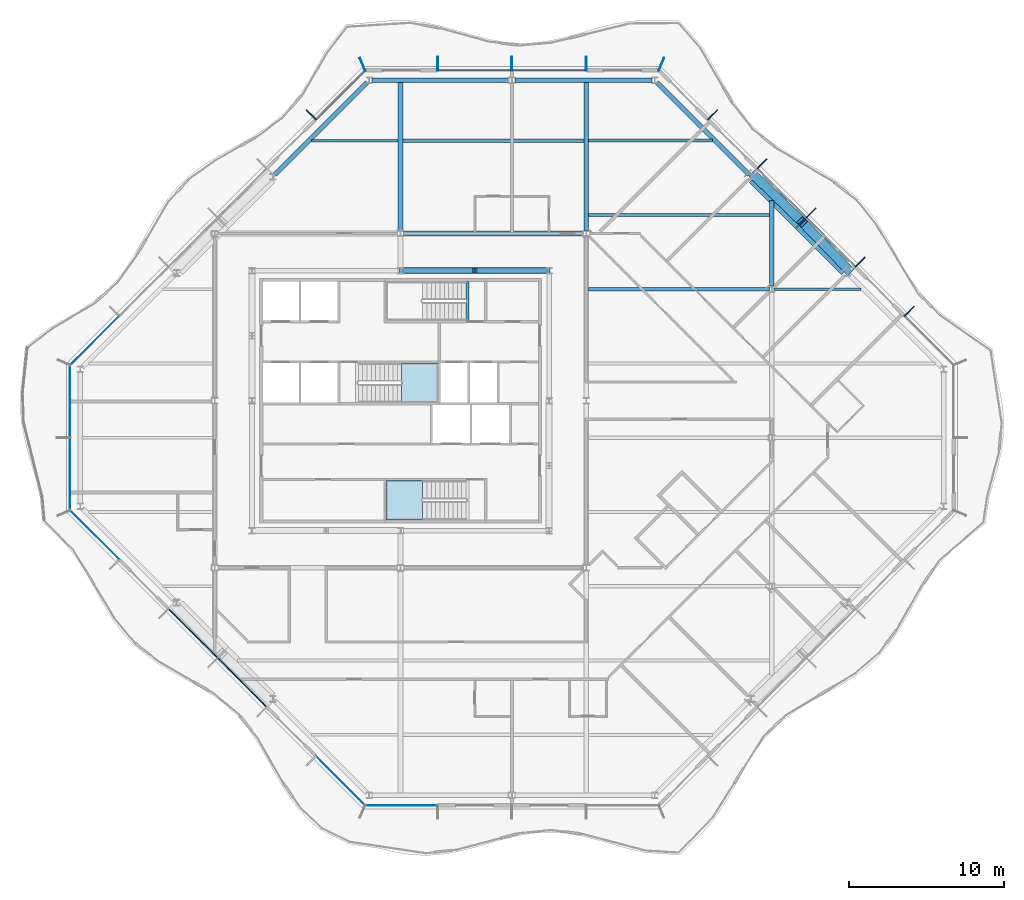
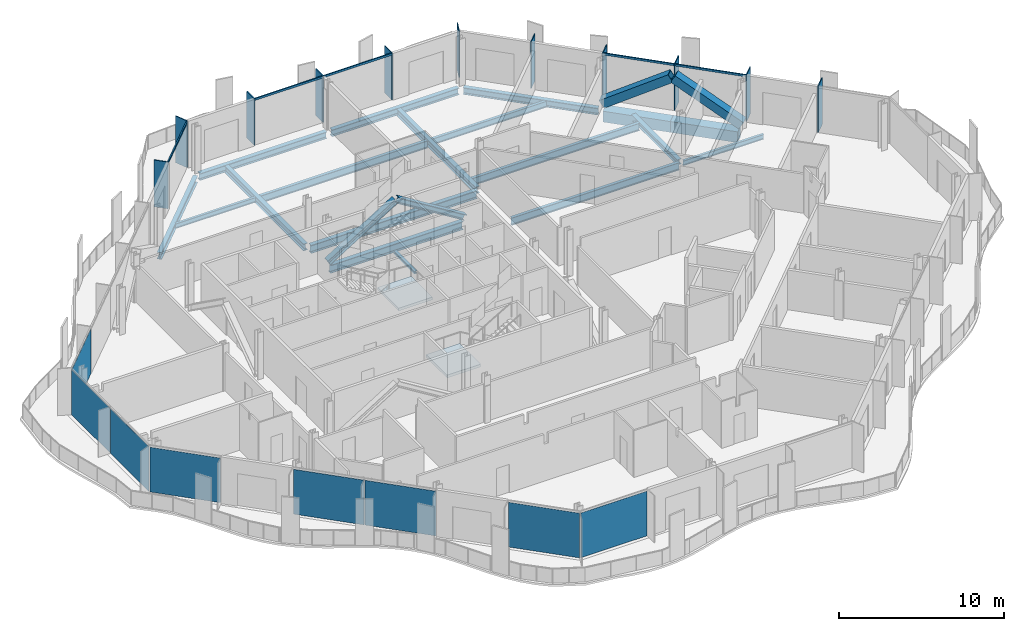
# One storey, part 5 of 17: 20 members, 18 beams, 8 plates, 2 slabs, 8 elements without a shape of their own.
"""IFC4 building model written with IfcOpenShell, lengths in metres."""

from ifc_helpers import new_model, si_unit, direction, frame, origin, origin_2d, place, context, subcontext, project, spatial, polyline, rectangle, hollow_rectangle, i_section, outline, extrude, material, layer, layer_set, material_profile, profile_set, type_object, element, aggregate, save


model = new_model("IFC4")

# Units and contexts
model_context = context("Model", 3, precision=1e-05, world=origin(), true_north=direction((0.0, 1.0)))
body_context = subcontext(model_context, "Body", "Model", "MODEL_VIEW")
ifc_project = project(units=[si_unit("LENGTHUNIT", "METRE"), si_unit("AREAUNIT", "SQUARE_METRE"), si_unit("VOLUMEUNIT", "CUBIC_METRE"), si_unit("PLANEANGLEUNIT", "RADIAN"), si_unit("MASSUNIT", "GRAM", prefix="KILO")], contexts=[model_context])

# Site, building, storey
site_placement = place(None, origin())
site = spatial("IfcSite", under=ifc_project, at=site_placement, CompositionType="ELEMENT")
building_placement = place(site_placement, origin())
building = spatial("IfcBuilding", under=site, at=building_placement, Name="Cairn Pilgrim Tower", CompositionType="ELEMENT")
storey_placement = place(building_placement, frame((0.0, 0.0, 250.199951171875)))
storey = spatial("IfcBuildingStorey", under=building, at=storey_placement, Name="L64", CompositionType="ELEMENT", Elevation=250.199951171875)

# Members
ifc_material_1 = material(Name="Structural steel S460M", Category="steel")
ifc_material_profile_1 = material_profile(ifc_material_1, hollow_rectangle(XDim=0.60009765625, YDim=0.60009765625, WallThickness=0.034912109375, at=origin_2d()), Name="BOX 600x600x35")
ifc_profile_set_1 = profile_set([ifc_material_profile_1], Name="Structural steel S460M")
member_type_1 = type_object("IfcMemberType", Name="BOX 600x600x35 BRACE", PredefinedType="BRACE", material=ifc_profile_set_1)
for number, where, z_axis, x_axis, name in (
    (1, (36.194580078125, 10.813232421875, 0.150146484375), (-0.59315674176, 0.611821665796, 0.523296597512), (-0.717973624454, -0.696070308653, 0.0), "XB-NE2-NE3-1"),
    (2, (30.01318359375, 16.99462890625, 0.150146484375), (0.611821665796, -0.59315674176, 0.523296597512), (0.696070308653, 0.717973624454, 0.0), "XB-NE2-NE3-2"),
):
    element("IfcMember", number, at=place(storey_placement, frame(where, z_axis=z_axis, x_axis=x_axis)), inside=storey, type_object=member_type_1, Name=name, PredefinedType="BRACE", context=body_context, shape_type="SweptSolid", body=[
        extrude(hollow_rectangle(XDim=0.60009765625, YDim=0.60009765625, WallThickness=0.034912109375, at=origin_2d()), origin(), (0.0, 0.0, 1.0), 5.035888671875),
    ])

# Beams
ifc_material_2 = material(Name="Structural steel S355J2", Category="steel")
ifc_material_profile_2 = material_profile(ifc_material_2, hollow_rectangle(XDim=0.699951171875, YDim=0.800048828125, WallThickness=0.0400390625, at=origin_2d()), Name="BOX 700x800x40")
ifc_profile_set_2 = profile_set([ifc_material_profile_2], Name="Structural steel S355J2")
beam_type_1 = type_object("IfcBeamType", Name="BOX 700x800x40 RING GIRDER", PredefinedType="SPANDREL", material=ifc_profile_set_2)
for number, where, z_axis, x_axis, name in (
    (3, (35.947265625, 10.780029296875, -0.550048828125), (-0.707106781187, 0.707106781187, 0.0), (-0.707106781187, -0.707106781187, 0.0), "RG3-NE2-NE3-1"),
    (4, (32.963623046875, 13.763671875, -0.550048828125), (-0.707106781187, 0.707106781187, 0.0), (-0.707106781187, -0.707106781187, 0.0), "RG3-NE2-NE3-2"),
):
    element("IfcBeam", number, at=place(storey_placement, frame(where, z_axis=z_axis, x_axis=x_axis)), inside=storey, type_object=beam_type_1, Name=name, PredefinedType="SPANDREL", context=body_context, shape_type="SweptSolid", body=[
        extrude(hollow_rectangle(XDim=0.699951171875, YDim=0.800048828125, WallThickness=0.0400390625, at=origin_2d()), origin(), (0.0, 0.0, 1.0), 4.219482421875),
    ])

# Curtain wall, members
ifc_material_3 = material(Name="Aluminium alloy 6063-T6 bronze anodised with Bronze tinted laminated low-E glass 8+16+8.8", Category="aluminium")
curtain_wall_type_1 = type_object("IfcCurtainWallType", Name="CHAMFER CORNER CURTAIN WALL", PredefinedType="NOTDEFINED", material=ifc_material_3)
curtain_wall_1_placement = place(storey_placement, origin())
curtain_wall_1 = element("IfcCurtainWall", 5, at=curtain_wall_1_placement, inside=storey, type_object=curtain_wall_type_1, Name="Chamfer Corner Curtain Wall NE", PredefinedType="NOTDEFINED")
ifc_material_4 = material(Name="Aluminium alloy 6063-T6 bronze anodised", Category="aluminium")
ifc_material_profile_3 = material_profile(ifc_material_4, rectangle(XDim=0.89990234375, YDim=0.06005859375, at=origin_2d()), Name="FIN MULLION 60x900 BRONZE")
ifc_profile_set_3 = profile_set([ifc_material_profile_3], Name="Aluminium alloy 6063-T6 bronze anodised")
member_type_2 = type_object("IfcMemberType", Name="FIN MULLION 60x900 BRONZE", PredefinedType="MULLION", material=ifc_profile_set_3)
member_1_placement = place(storey_placement, frame((40.0712890625, 8.1689453125, 0.0), z_axis=(0.0, 0.0, 1.0), x_axis=(0.707106781187, 0.707106781187, 0.0)))
member_1 = element("IfcMember", 6, at=member_1_placement, type_object=member_type_2, Name="Fin mullion NE2", PredefinedType="MULLION", context=body_context, shape_type="SweptSolid", body=[
    extrude(rectangle(XDim=0.89990234375, YDim=0.06005859375, at=origin_2d()), origin(), (0.0, 0.0, 1.0), 3.449951171875),
])
member_2_placement = place(storey_placement, frame((36.895751953125, 11.3447265625, 0.0), z_axis=(0.0, 0.0, 1.0), x_axis=(0.707106781187, 0.707106781187, 0.0)))
member_2 = element("IfcMember", 7, at=member_2_placement, type_object=member_type_2, Name="Fin mullion NE3", PredefinedType="MULLION", context=body_context, shape_type="SweptSolid", body=[
    extrude(rectangle(XDim=0.89990234375, YDim=0.06005859375, at=origin_2d()), origin(), (0.0, 0.0, 1.0), 3.449951171875),
])
member_3_placement = place(storey_placement, frame((33.72021484375, 14.520263671875, 0.0), z_axis=(0.0, 0.0, 1.0), x_axis=(0.707106781187, 0.707106781187, 0.0)))
member_3 = element("IfcMember", 8, at=member_3_placement, type_object=member_type_2, Name="Fin mullion NE4", PredefinedType="MULLION", context=body_context, shape_type="SweptSolid", body=[
    extrude(rectangle(XDim=0.89990234375, YDim=0.06005859375, at=origin_2d()), origin(), (0.0, 0.0, 1.0), 3.449951171875),
])
member_4_placement = place(storey_placement, frame((30.544677734375, 17.69580078125, 0.0), z_axis=(0.0, 0.0, 1.0), x_axis=(0.707106781187, 0.707106781187, 0.0)))
member_4 = element("IfcMember", 9, at=member_4_placement, type_object=member_type_2, Name="Fin mullion NE5", PredefinedType="MULLION", context=body_context, shape_type="SweptSolid", body=[
    extrude(rectangle(XDim=0.89990234375, YDim=0.06005859375, at=origin_2d()), origin(), (0.0, 0.0, 1.0), 3.449951171875),
])
member_5_placement = place(storey_placement, frame((27.369140625, 20.871337890625, 0.0), z_axis=(0.0, 0.0, 1.0), x_axis=(0.707106781187, 0.707106781187, 0.0)))
member_5 = element("IfcMember", 10, at=member_5_placement, type_object=member_type_2, Name="Fin mullion NE6", PredefinedType="MULLION", context=body_context, shape_type="SweptSolid", body=[
    extrude(rectangle(XDim=0.89990234375, YDim=0.06005859375, at=origin_2d()), origin(), (0.0, 0.0, 1.0), 3.449951171875),
])

curtain_wall_type_2 = type_object("IfcCurtainWallType", Name="TOWER STICK CURTAIN WALL NS", PredefinedType="NOTDEFINED", material=ifc_material_3)
curtain_wall_2_placement = place(storey_placement, origin())
curtain_wall_2 = element("IfcCurtainWall", 11, at=curtain_wall_2_placement, inside=storey, type_object=curtain_wall_type_2, Name="Tower Stick Curtain Wall Ns N", PredefinedType="NOTDEFINED")
member_6_placement = place(storey_placement, frame((24.05712890625, 24.137939453125, 0.0), z_axis=(0.0, 0.0, 1.0), x_axis=(0.382683432365, 0.923879532511, 0.0)))
member_6 = element("IfcMember", 12, at=member_6_placement, type_object=member_type_2, Name="Fin mullion N1", PredefinedType="MULLION", context=body_context, shape_type="SweptSolid", body=[
    extrude(rectangle(XDim=0.89990234375, YDim=0.06005859375, at=origin_2d()), origin(), (0.0, 0.0, 1.0), 3.449951171875),
])
member_7_placement = place(storey_placement, frame((19.199951171875, 24.169921875, 0.0), z_axis=(0.0, 0.0, 1.0), x_axis=(0.0, 1.0, 0.0)))
member_7 = element("IfcMember", 13, at=member_7_placement, type_object=member_type_2, Name="Fin mullion N2", PredefinedType="MULLION", context=body_context, shape_type="SweptSolid", body=[
    extrude(rectangle(XDim=0.89990234375, YDim=0.06005859375, at=origin_2d()), origin(), (0.0, 0.0, 1.0), 3.449951171875),
])
member_8_placement = place(storey_placement, frame((14.39990234375, 24.169921875, 0.0), z_axis=(0.0, 0.0, 1.0), x_axis=(0.0, 1.0, 0.0)))
member_8 = element("IfcMember", 14, at=member_8_placement, type_object=member_type_2, Name="Fin mullion N3", PredefinedType="MULLION", context=body_context, shape_type="SweptSolid", body=[
    extrude(rectangle(XDim=0.89990234375, YDim=0.06005859375, at=origin_2d()), origin(), (0.0, 0.0, 1.0), 3.449951171875),
])
member_9_placement = place(storey_placement, frame((9.60009765625, 24.169921875, 0.0), z_axis=(0.0, 0.0, 1.0), x_axis=(0.0, 1.0, 0.0)))
member_9 = element("IfcMember", 15, at=member_9_placement, type_object=member_type_2, Name="Fin mullion N4", PredefinedType="MULLION", context=body_context, shape_type="SweptSolid", body=[
    extrude(rectangle(XDim=0.89990234375, YDim=0.06005859375, at=origin_2d()), origin(), (0.0, 0.0, 1.0), 3.449951171875),
])

curtain_wall_3_placement = place(storey_placement, origin())
curtain_wall_3 = element("IfcCurtainWall", 16, at=curtain_wall_3_placement, inside=storey, type_object=curtain_wall_type_1, Name="Chamfer Corner Curtain Wall NW", PredefinedType="NOTDEFINED")
member_10_placement = place(storey_placement, frame((4.742919921875, 24.137939453125, 0.0), z_axis=(0.0, 0.0, 1.0), x_axis=(-0.382683432365, 0.923879532511, 0.0)))
member_10 = element("IfcMember", 17, at=member_10_placement, type_object=member_type_2, Name="Fin mullion NW1", PredefinedType="MULLION", context=body_context, shape_type="SweptSolid", body=[
    extrude(rectangle(XDim=0.89990234375, YDim=0.06005859375, at=origin_2d()), origin(), (0.0, 0.0, 1.0), 3.449951171875),
])
member_11_placement = place(storey_placement, frame((1.430908203125, 20.871337890625, 0.0), z_axis=(0.0, 0.0, 1.0), x_axis=(-0.707106781187, 0.707106781187, 0.0)))
member_11 = element("IfcMember", 18, at=member_11_placement, type_object=member_type_2, Name="Fin mullion NW2", PredefinedType="MULLION", context=body_context, shape_type="SweptSolid", body=[
    extrude(rectangle(XDim=0.89990234375, YDim=0.06005859375, at=origin_2d()), origin(), (0.0, 0.0, 1.0), 3.449951171875),
])

# Members
ifc_material_profile_4 = material_profile(ifc_material_2, i_section(OverallWidth=0.39794921875, OverallDepth=0.386962890625, WebThickness=0.02099609375, FlangeThickness=0.033203125, FilletRadius=0.014892578125, at=origin_2d()), Name="HD 400x262")
ifc_profile_set_4 = profile_set([ifc_material_profile_4], Name="Structural steel S355J2")
member_type_3 = type_object("IfcMemberType", Name="HD 400x262 BRACE", PredefinedType="BRACE", material=ifc_profile_set_4)
for number, where, z_axis, x_axis, name in (
    (19, (16.76025390625, 10.800048828125, 0.10009765625), (-0.85122905108, 0.0, 0.524794343145), (0.0, -1.0, 0.0), "KB-3A"),
    (20, (7.23974609375, 10.800048828125, 0.10009765625), (0.85122905108, 0.0, 0.524794343145), (0.0, 1.0, 0.0), "KB-3B"),
):
    element("IfcMember", number, at=place(storey_placement, frame(where, z_axis=z_axis, x_axis=x_axis)), inside=storey, type_object=member_type_3, Name=name, PredefinedType="BRACE", context=body_context, shape_type="SweptSolid", body=[
        extrude(i_section(OverallWidth=0.39794921875, OverallDepth=0.386962890625, WebThickness=0.02099609375, FlangeThickness=0.033203125, FilletRadius=0.014892578125, at=origin_2d()), origin(), (0.0, 0.0, 1.0), 5.530029296875),
    ])

# Beams
ifc_material_profile_5 = material_profile(ifc_material_2, i_section(OverallWidth=0.300048828125, OverallDepth=0.39990234375, WebThickness=0.013427734375, FlangeThickness=0.02392578125, FilletRadius=0.027099609375, at=origin_2d()), Name="HEB 400")
ifc_profile_set_5 = profile_set([ifc_material_profile_5], Name="Structural steel S355J2")
beam_type_2 = type_object("IfcBeamType", Name="HEB 400 GIRDER", PredefinedType="BEAM", material=ifc_profile_set_5)
beam_1_placement = place(storey_placement, frame((31.199951171875, 9.799560546875, -0.349853515625), z_axis=(0.0, 1.0, 0.0), x_axis=(-1.0, 0.0, 0.0)))
element("IfcBeam", 21, at=beam_1_placement, inside=storey, type_object=beam_type_2, Name="PG5-4", PredefinedType="BEAM", context=body_context, shape_type="SweptSolid", body=[
    extrude(i_section(OverallWidth=0.300048828125, OverallDepth=0.39990234375, WebThickness=0.013427734375, FlangeThickness=0.02392578125, FilletRadius=0.027099609375, at=origin_2d()), origin(), (0.0, 0.0, 1.0), 5.545654296875),
])
ifc_material_profile_6 = material_profile(ifc_material_2, i_section(OverallWidth=0.300048828125, OverallDepth=0.5, WebThickness=0.014404296875, FlangeThickness=0.028076171875, FilletRadius=0.027099609375, at=origin_2d()), Name="HEB 500")
ifc_profile_set_6 = profile_set([ifc_material_profile_6], Name="Structural steel S355J2")
beam_type_3 = type_object("IfcBeamType", Name="HEB 500 GIRDER", PredefinedType="BEAM", material=ifc_profile_set_6)
for number, where, z_axis, x_axis, name in (
    (22, (7.199951171875, 13.39697265625, -0.39990234375), (0.0, 1.0, 0.0), (-1.0, 0.0, 0.0), "PG3-2"),
    (23, (19.199951171875, 13.39697265625, -0.39990234375), (0.0, 1.0, 0.0), (-1.0, 0.0, 0.0), "PG4-4"),
):
    element("IfcBeam", number, at=place(storey_placement, frame(where, z_axis=z_axis, x_axis=x_axis)), inside=storey, type_object=beam_type_3, Name=name, PredefinedType="BEAM", context=body_context, shape_type="SweptSolid", body=[
        extrude(i_section(OverallWidth=0.300048828125, OverallDepth=0.5, WebThickness=0.014404296875, FlangeThickness=0.028076171875, FilletRadius=0.027099609375, at=origin_2d()), origin(), (0.0, 0.0, 1.0), 9.5830078125),
    ])
ifc_material_profile_7 = material_profile(ifc_material_2, i_section(OverallWidth=0.300048828125, OverallDepth=0.5, WebThickness=0.014404296875, FlangeThickness=0.028076171875, FilletRadius=0.027099609375, at=origin_2d()), Name="HEB 500")
ifc_profile_set_7 = profile_set([ifc_material_profile_7], Name="Structural steel S355J2")
beam_type_4 = type_object("IfcBeamType", Name="HEB 500 RING GIRDER", PredefinedType="SPANDREL", material=ifc_profile_set_7)
beam_2_placement = place(storey_placement, frame((29.722900390625, 17.00439453125, -0.39990234375), z_axis=(-0.707106781187, 0.707106781187, 0.0), x_axis=(-0.707106781187, -0.707106781187, 0.0)))
element("IfcBeam", 24, at=beam_2_placement, inside=storey, type_object=beam_type_4, Name="RG3-NE3-N1", PredefinedType="SPANDREL", context=body_context, shape_type="SweptSolid", body=[
    extrude(i_section(OverallWidth=0.300048828125, OverallDepth=0.5, WebThickness=0.014404296875, FlangeThickness=0.028076171875, FilletRadius=0.027099609375, at=origin_2d()), origin(), (0.0, 0.0, 1.0), 8.438720703125),
])
beam_3_placement = place(storey_placement, frame((23.4453125, 23.10009765625, -0.39990234375), z_axis=(-1.0, 0.0, 0.0), x_axis=(0.0, -1.0, 0.0)))
element("IfcBeam", 25, at=beam_3_placement, inside=storey, type_object=beam_type_4, Name="RG3-N1-N2", PredefinedType="SPANDREL", context=body_context, shape_type="SweptSolid", body=[
    extrude(i_section(OverallWidth=0.300048828125, OverallDepth=0.5, WebThickness=0.014404296875, FlangeThickness=0.028076171875, FilletRadius=0.027099609375, at=origin_2d()), origin(), (0.0, 0.0, 1.0), 8.863525390625),
])
beam_4_placement = place(storey_placement, frame((14.21826171875, 23.10009765625, -0.39990234375), z_axis=(-1.0, 0.0, 0.0), x_axis=(0.0, -1.0, 0.0)))
element("IfcBeam", 26, at=beam_4_placement, inside=storey, type_object=beam_type_4, Name="RG3-N2-NW1", PredefinedType="SPANDREL", context=body_context, shape_type="SweptSolid", body=[
    extrude(i_section(OverallWidth=0.300048828125, OverallDepth=0.5, WebThickness=0.014404296875, FlangeThickness=0.028076171875, FilletRadius=0.027099609375, at=origin_2d()), origin(), (0.0, 0.0, 1.0), 8.86376953125),
])
beam_5_placement = place(storey_placement, frame((5.044189453125, 22.971435546875, -0.39990234375), z_axis=(-0.707106781187, -0.707106781187, 0.0), x_axis=(0.707106781187, -0.707106781187, 0.0)))
element("IfcBeam", 27, at=beam_5_placement, inside=storey, type_object=beam_type_4, Name="RG3-NW1-NW2", PredefinedType="SPANDREL", context=body_context, shape_type="SweptSolid", body=[
    extrude(i_section(OverallWidth=0.300048828125, OverallDepth=0.5, WebThickness=0.014404296875, FlangeThickness=0.028076171875, FilletRadius=0.027099609375, at=origin_2d()), origin(), (0.0, 0.0, 1.0), 8.438720703125),
])
ifc_material_profile_8 = material_profile(ifc_material_2, i_section(OverallWidth=0.300048828125, OverallDepth=0.60009765625, WebThickness=0.015380859375, FlangeThickness=0.030029296875, FilletRadius=0.027099609375, at=origin_2d()), Name="HEB 600")
ifc_profile_set_8 = profile_set([ifc_material_profile_8], Name="Structural steel S355J2")
beam_type_5 = type_object("IfcBeamType", Name="HEB 600 CORE BEAM", PredefinedType="BEAM", material=ifc_profile_set_8)
beam_6_placement = place(storey_placement, frame((16.620849609375, 10.800048828125, -0.449951171875), z_axis=(-1.0, 0.0, 0.0), x_axis=(0.0, -1.0, 0.0)))
element("IfcBeam", 28, at=beam_6_placement, inside=storey, type_object=beam_type_5, Name="CB-5", PredefinedType="BEAM", context=body_context, shape_type="SweptSolid", body=[
    extrude(i_section(OverallWidth=0.300048828125, OverallDepth=0.60009765625, WebThickness=0.015380859375, FlangeThickness=0.030029296875, FilletRadius=0.027099609375, at=origin_2d()), origin(), (0.0, 0.0, 1.0), 9.24169921875),
])
ifc_material_profile_9 = material_profile(ifc_material_2, i_section(OverallWidth=0.300048828125, OverallDepth=0.60009765625, WebThickness=0.015380859375, FlangeThickness=0.030029296875, FilletRadius=0.027099609375, at=origin_2d()), Name="HEB 600")
ifc_profile_set_9 = profile_set([ifc_material_profile_9], Name="Structural steel S355J2")
beam_type_6 = type_object("IfcBeamType", Name="HEB 600 INNER GIRDER", PredefinedType="BEAM", material=ifc_profile_set_9)
beam_7_placement = place(storey_placement, frame((7.39697265625, 13.199951171875, -0.449951171875), z_axis=(1.0, 0.0, 0.0), x_axis=(0.0, 1.0, 0.0)))
element("IfcBeam", 29, at=beam_7_placement, inside=storey, type_object=beam_type_6, Name="IG2-2", PredefinedType="BEAM", context=body_context, shape_type="SweptSolid", body=[
    extrude(i_section(OverallWidth=0.300048828125, OverallDepth=0.60009765625, WebThickness=0.015380859375, FlangeThickness=0.030029296875, FilletRadius=0.027099609375, at=origin_2d()), origin(), (0.0, 0.0, 1.0), 11.60595703125),
])
ifc_material_profile_10 = material_profile(ifc_material_2, i_section(OverallWidth=0.169921875, OverallDepth=0.360107421875, WebThickness=0.008056640625, FlangeThickness=0.0126953125, FilletRadius=0.01806640625, at=origin_2d()), Name="IPE 360")
ifc_profile_set_10 = profile_set([ifc_material_profile_10], Name="Structural steel S355J2")
beam_type_7 = type_object("IfcBeamType", Name="IPE 360 SECONDARY BEAM", PredefinedType="JOIST", material=ifc_profile_set_10)
beam_8_placement = place(storey_placement, frame((31.35009765625, 9.60009765625, -0.329833984375), z_axis=(1.0, 0.0, 0.0), x_axis=(0.0, 1.0, 0.0)))
element("IfcBeam", 30, at=beam_8_placement, inside=storey, type_object=beam_type_7, Name="SB7-3", PredefinedType="JOIST", context=body_context, shape_type="SweptSolid", body=[
    extrude(i_section(OverallWidth=0.169921875, OverallDepth=0.360107421875, WebThickness=0.008056640625, FlangeThickness=0.0126953125, FilletRadius=0.01806640625, at=origin_2d()), origin(), (0.0, 0.0, 1.0), 5.594970703125),
])
beam_9_placement = place(storey_placement, frame((1.454833984375, 19.199951171875, -0.329833984375), z_axis=(1.0, 0.0, 0.0), x_axis=(0.0, 1.0, 0.0)))
element("IfcBeam", 31, at=beam_9_placement, inside=storey, type_object=beam_type_7, Name="SB9-1", PredefinedType="JOIST", context=body_context, shape_type="SweptSolid", body=[
    extrude(i_section(OverallWidth=0.169921875, OverallDepth=0.360107421875, WebThickness=0.008056640625, FlangeThickness=0.0126953125, FilletRadius=0.01806640625, at=origin_2d()), origin(), (0.0, 0.0, 1.0), 5.59521484375),
])
ifc_material_profile_11 = material_profile(ifc_material_2, i_section(OverallWidth=0.18994140625, OverallDepth=0.449951171875, WebThickness=0.009521484375, FlangeThickness=0.0146484375, FilletRadius=0.02099609375, at=origin_2d()), Name="IPE 450")
ifc_profile_set_11 = profile_set([ifc_material_profile_11], Name="Structural steel S355J2")
beam_type_8 = type_object("IfcBeamType", Name="IPE 450 SECONDARY BEAM", PredefinedType="JOIST", material=ifc_profile_set_11)
beam_10_placement = place(storey_placement, frame((19.35009765625, 19.199951171875, -0.375), z_axis=(1.0, 0.0, 0.0), x_axis=(0.0, 1.0, 0.0)))
element("IfcBeam", 32, at=beam_10_placement, inside=storey, type_object=beam_type_8, Name="SB9-3", PredefinedType="JOIST", context=body_context, shape_type="SweptSolid", body=[
    extrude(i_section(OverallWidth=0.18994140625, OverallDepth=0.449951171875, WebThickness=0.009521484375, FlangeThickness=0.0146484375, FilletRadius=0.02099609375, at=origin_2d()), origin(), (0.0, 0.0, 1.0), 7.9951171875),
])
ifc_material_profile_12 = material_profile(ifc_material_2, i_section(OverallWidth=0.2099609375, OverallDepth=0.550048828125, WebThickness=0.010986328125, FlangeThickness=0.01708984375, FilletRadius=0.02392578125, at=origin_2d()), Name="IPE 550")
ifc_profile_set_12 = profile_set([ifc_material_profile_12], Name="Structural steel S355J2")
beam_type_9 = type_object("IfcBeamType", Name="IPE 550 SECONDARY BEAM", PredefinedType="JOIST", material=ifc_profile_set_12)
for number, where, z_axis, x_axis, name in (
    (33, (19.35009765625, 9.60009765625, -0.425048828125), (1.0, 0.0, 0.0), (0.0, 1.0, 0.0), "SB7-2"),
    (34, (19.35009765625, 14.39990234375, -0.425048828125), (1.0, 0.0, 0.0), (0.0, 1.0, 0.0), "SB8-1"),
    (35, (7.35009765625, 19.199951171875, -0.425048828125), (1.0, 0.0, 0.0), (0.0, 1.0, 0.0), "SB9-2"),
):
    element("IfcBeam", number, at=place(storey_placement, frame(where, z_axis=z_axis, x_axis=x_axis)), inside=storey, type_object=beam_type_9, Name=name, PredefinedType="JOIST", context=body_context, shape_type="SweptSolid", body=[
        extrude(i_section(OverallWidth=0.2099609375, OverallDepth=0.550048828125, WebThickness=0.010986328125, FlangeThickness=0.01708984375, FilletRadius=0.02392578125, at=origin_2d()), origin(), (0.0, 0.0, 1.0), 11.699951171875),
    ])
ifc_material_profile_13 = material_profile(ifc_material_2, i_section(OverallWidth=0.199951171875, OverallDepth=0.199951171875, WebThickness=0.009033203125, FlangeThickness=0.014892578125, FilletRadius=0.01806640625, at=origin_2d()), Name="HE 200 B")
ifc_profile_set_13 = profile_set([ifc_material_profile_13], Name="Structural steel S355J2")
beam_type_10 = type_object("IfcBeamType", Name="STAIR LANDING BEAM HE 200 B", PredefinedType="BEAM", material=ifc_profile_set_13)
beam_11_placement = place(storey_placement, frame((11.5244140625, 10.10009765625, -0.25), z_axis=(0.0, -1.0, 0.0), x_axis=(1.0, 0.0, 0.0)))
element("IfcBeam", 36, at=beam_11_placement, inside=storey, type_object=beam_type_10, Name="STAIR LANDING BEAM LD-HE200B", PredefinedType="BEAM", context=body_context, shape_type="SweptSolid", body=[
    extrude(i_section(OverallWidth=0.199951171875, OverallDepth=0.199951171875, WebThickness=0.009033203125, FlangeThickness=0.014892578125, FilletRadius=0.01806640625, at=origin_2d()), origin(), (0.0, 0.0, 1.0), 2.525146484375),
])

# Member
ifc_material_profile_14 = material_profile(ifc_material_4, rectangle(XDim=0.080078125, YDim=0.14990234375, at=origin_2d()), Name="TRANSOM 80x150 BRONZE")
ifc_profile_set_14 = profile_set([ifc_material_profile_14], Name="Aluminium alloy 6063-T6 bronze anodised")
member_type_4 = type_object("IfcMemberType", Name="TRANSOM 80x150 BRONZE", PredefinedType="USERDEFINED", material=ifc_profile_set_14)
member_12_placement = place(storey_placement, frame((36.57763671875, 11.06884765625, 3.375), z_axis=(-0.707134329907, 0.707079231393, 0.0), x_axis=(-0.707079231393, -0.707134329907, 0.0)))
member_12 = element("IfcMember", 37, at=member_12_placement, type_object=member_type_4, Name="Transom NE3", ObjectType="TRANSOM", PredefinedType="USERDEFINED", context=body_context, shape_type="SweptSolid", body=[
    extrude(rectangle(XDim=0.080078125, YDim=0.14990234375, at=origin_2d()), origin(), (0.0, 0.0, 1.0), 4.430908203125),
])

member_13_placement = place(storey_placement, frame((33.402099609375, 14.244384765625, 3.375), z_axis=(-0.707106781187, 0.707106781187, 0.0), x_axis=(-0.707106781187, -0.707106781187, 0.0)))
member_13 = element("IfcMember", 38, at=member_13_placement, type_object=member_type_4, Name="Transom NE4", ObjectType="TRANSOM", PredefinedType="USERDEFINED", context=body_context, shape_type="SweptSolid", body=[
    extrude(rectangle(XDim=0.080078125, YDim=0.14990234375, at=origin_2d()), origin(), (0.0, 0.0, 1.0), 4.43115234375),
])

aggregate(curtain_wall_1, [member_1, member_2, member_3, member_4, member_5, member_12, member_13])

member_14_placement = place(storey_placement, frame((19.169921875, 23.75, 3.375), z_axis=(-1.0, 0.0, 0.0), x_axis=(0.0, -1.0, 0.0)))
member_14 = element("IfcMember", 39, at=member_14_placement, type_object=member_type_4, Name="Transom N2", ObjectType="TRANSOM", PredefinedType="USERDEFINED", context=body_context, shape_type="SweptSolid", body=[
    extrude(rectangle(XDim=0.080078125, YDim=0.14990234375, at=origin_2d()), origin(), (0.0, 0.0, 1.0), 4.739990234375),
])

member_15_placement = place(storey_placement, frame((14.3701171875, 23.75, 3.375), z_axis=(-1.0, 0.0, 0.0), x_axis=(0.0, -1.0, 0.0)))
member_15 = element("IfcMember", 40, at=member_15_placement, type_object=member_type_4, Name="Transom N3", ObjectType="TRANSOM", PredefinedType="USERDEFINED", context=body_context, shape_type="SweptSolid", body=[
    extrude(rectangle(XDim=0.080078125, YDim=0.14990234375, at=origin_2d()), origin(), (0.0, 0.0, 1.0), 4.740234375),
])

aggregate(curtain_wall_2, [member_6, member_7, member_8, member_9, member_14, member_15])

member_16_placement = place(storey_placement, frame((4.875244140625, 23.7216796875, 3.375), z_axis=(-0.707106781187, -0.707106781187, 0.0), x_axis=(0.707106781187, -0.707106781187, 0.0)))
member_16 = element("IfcMember", 41, at=member_16_placement, type_object=member_type_4, Name="Transom NW1", ObjectType="TRANSOM", PredefinedType="USERDEFINED", context=body_context, shape_type="SweptSolid", body=[
    extrude(rectangle(XDim=0.080078125, YDim=0.14990234375, at=origin_2d()), origin(), (0.0, 0.0, 1.0), 4.4208984375),
])

# Curtain wall, plates
curtain_wall_4_placement = place(storey_placement, origin())
curtain_wall_4 = element("IfcCurtainWall", 42, at=curtain_wall_4_placement, inside=storey, type_object=curtain_wall_type_1, Name="Chamfer Corner Curtain Wall SW", PredefinedType="NOTDEFINED")
ifc_material_5 = material(Name="Bronze anodised aluminium spandrel panel with mineral wool insulation", Category="aluminium")
ifc_layer_1 = layer(ifc_material_5, 0.06005859375)
ifc_layer_set_1 = layer_set([ifc_layer_1], Name="SPANDREL PANEL 4431x3300")
plate_type_1 = type_object("IfcPlateType", Name="SPANDREL PANEL 4431x3300", PredefinedType="CURTAIN_PANEL", material=ifc_layer_set_1)
plate_1_placement = place(storey_placement, frame((-6.2109375, -12.635498046875, 0.0), z_axis=(0.0, 0.0, 1.0), x_axis=(0.707106781187, -0.707106781187, 0.0)))
plate_1 = element("IfcPlate", 43, at=plate_1_placement, type_object=plate_type_1, Name="Spandrel Panel SW3-1", PredefinedType="CURTAIN_PANEL", context=body_context, shape_type="SweptSolid", body=[
    extrude(rectangle(XDim=4.430908203125, YDim=0.06005859375, at=origin_2d()), origin(), (0.0, 0.0, 1.0), 3.300048828125),
])
plate_2_placement = place(storey_placement, frame((-3.035400390625, -15.81103515625, 0.0), z_axis=(0.0, 0.0, 1.0), x_axis=(0.707106781187, -0.707106781187, 0.0)))
plate_2 = element("IfcPlate", 44, at=plate_2_placement, type_object=plate_type_1, Name="Spandrel Panel SW4-1", PredefinedType="CURTAIN_PANEL", context=body_context, shape_type="SweptSolid", body=[
    extrude(rectangle(XDim=4.430908203125, YDim=0.06005859375, at=origin_2d()), origin(), (0.0, 0.0, 1.0), 3.300048828125),
])

# Stair, slab
ifc_material_6 = material(Name="Concrete C32/40", Category="concrete")
stair_type = type_object("IfcStairType", Name="EXIT STAIR 1200", PredefinedType="HALF_TURN_STAIR", material=ifc_material_6)
stair_1_placement = place(storey_placement, origin())
stair_1 = element("IfcStair", 45, at=stair_1_placement, inside=storey, type_object=stair_type, Name="L64 Exit Stair A", PredefinedType="HALF_TURN_STAIR")
ifc_layer_2 = layer(ifc_material_6, 0.199951171875)
ifc_layer_set_2 = layer_set([ifc_layer_2], Name="STAIR LANDING 200")
slab_type = type_object("IfcSlabType", Name="STAIR LANDING 200", PredefinedType="LANDING", material=ifc_layer_set_2)
slab_1_placement = place(storey_placement, frame((0.0, 0.0, 1.60009765625)))
slab_1 = element("IfcSlab", 46, at=slab_1_placement, type_object=slab_type, Name="ST-A landing 1", PredefinedType="LANDING", context=body_context, shape_type="SweptSolid", body=[
    extrude(outline(polyline([(8.625, -2.77490234375), (6.27490234375, -2.77490234375), (6.27490234375, -5.300048828125), (8.625, -5.300048828125), (8.625, -2.77490234375)])), origin(), (0.0, 0.0, 1.0), 0.199951171875),
])
aggregate(stair_1, [slab_1])

stair_2_placement = place(storey_placement, origin())
stair_2 = element("IfcStair", 47, at=stair_2_placement, inside=storey, type_object=stair_type, Name="L64 Exit Stair B", PredefinedType="HALF_TURN_STAIR")
slab_2_placement = place(storey_placement, frame((0.0, 0.0, 1.60009765625)))
slab_2 = element("IfcSlab", 48, at=slab_2_placement, type_object=slab_type, Name="ST-B landing 1", PredefinedType="LANDING", context=body_context, shape_type="SweptSolid", body=[
    extrude(outline(polyline([(7.27490234375, 2.27490234375), (9.625, 2.27490234375), (9.625, 4.824951171875), (7.27490234375, 4.824951171875), (7.27490234375, 2.27490234375)])), origin(), (0.0, 0.0, 1.0), 0.199951171875),
])
aggregate(stair_2, [slab_2])

# Plate
ifc_material_7 = material(Name="Bronze tinted laminated low-E glass 8+16+8.8", Category="glass")
ifc_layer_3 = layer(ifc_material_7, 0.033935546875)
ifc_layer_set_3 = layer_set([ifc_layer_3], Name="VISION GLAZING 4421x3300")
plate_type_2 = type_object("IfcPlateType", Name="VISION GLAZING 4421x3300", PredefinedType="CURTAIN_PANEL", material=ifc_layer_set_3)
plate_3_placement = place(storey_placement, frame((-12.55859375, 6.287841796875, 0.0), z_axis=(0.0, 0.0, 1.0), x_axis=(-0.707106781187, -0.707106781187, 0.0)))
plate_3 = element("IfcPlate", 49, at=plate_3_placement, type_object=plate_type_2, Name="Vision Glazing NW6-1", PredefinedType="CURTAIN_PANEL", context=body_context, shape_type="SweptSolid", body=[
    extrude(rectangle(XDim=4.4208984375, YDim=0.033935546875, at=origin_2d()), origin(), (0.0, 0.0, 1.0), 3.300048828125),
])

aggregate(curtain_wall_3, [member_10, member_11, member_16, plate_3])

plate_4_placement = place(storey_placement, frame((-12.55859375, -6.287841796875, 0.0), z_axis=(0.0, 0.0, 1.0), x_axis=(0.707106781187, -0.707106781187, 0.0)))
plate_4 = element("IfcPlate", 50, at=plate_4_placement, type_object=plate_type_2, Name="Vision Glazing SW1-1", PredefinedType="CURTAIN_PANEL", context=body_context, shape_type="SweptSolid", body=[
    extrude(rectangle(XDim=4.4208984375, YDim=0.033935546875, at=origin_2d()), origin(), (0.0, 0.0, 1.0), 3.300048828125),
])

plate_5_placement = place(storey_placement, frame((3.312255859375, -22.15869140625, 0.0), z_axis=(0.0, 0.0, 1.0), x_axis=(0.707106781187, -0.707106781187, 0.0)))
plate_5 = element("IfcPlate", 51, at=plate_5_placement, type_object=plate_type_2, Name="Vision Glazing SW6-1", PredefinedType="CURTAIN_PANEL", context=body_context, shape_type="SweptSolid", body=[
    extrude(rectangle(XDim=4.4208984375, YDim=0.033935546875, at=origin_2d()), origin(), (0.0, 0.0, 1.0), 3.300048828125),
])

aggregate(curtain_wall_4, [plate_4, plate_1, plate_2, plate_5])

# Curtain wall, plate
curtain_wall_5_placement = place(storey_placement, origin())
curtain_wall_5 = element("IfcCurtainWall", 52, at=curtain_wall_5_placement, inside=storey, type_object=curtain_wall_type_2, Name="Tower Stick Curtain Wall Ns S", PredefinedType="NOTDEFINED")
ifc_layer_4 = layer(ifc_material_7, 0.033935546875)
ifc_layer_set_4 = layer_set([ifc_layer_4], Name="VISION GLAZING 4626x3300")
plate_type_3 = type_object("IfcPlateType", Name="VISION GLAZING 4626x3300", PredefinedType="CURTAIN_PANEL", material=ifc_layer_set_4)
plate_6_placement = place(storey_placement, frame((7.2568359375, -23.75, 0.0), z_axis=(0.0, 0.0, 1.0), x_axis=(1.0, 0.0, 0.0)))
plate_6 = element("IfcPlate", 53, at=plate_6_placement, type_object=plate_type_3, Name="Vision Glazing S1-1", PredefinedType="CURTAIN_PANEL", context=body_context, shape_type="SweptSolid", body=[
    extrude(rectangle(XDim=4.62646484375, YDim=0.033935546875, at=origin_2d()), origin(), (0.0, 0.0, 1.0), 3.300048828125),
])
aggregate(curtain_wall_5, [plate_6])

# Curtain wall, plates
curtain_wall_type_3 = type_object("IfcCurtainWallType", Name="TOWER STICK CURTAIN WALL EW", PredefinedType="NOTDEFINED", material=ifc_material_3)
curtain_wall_6_placement = place(storey_placement, origin())
curtain_wall_6 = element("IfcCurtainWall", 54, at=curtain_wall_6_placement, inside=storey, type_object=curtain_wall_type_3, Name="Tower Stick Curtain Wall Ew W", PredefinedType="NOTDEFINED")
plate_7_placement = place(storey_placement, frame((-14.14990234375, 2.34326171875, 0.0), z_axis=(0.0, 0.0, 1.0), x_axis=(0.0, -1.0, 0.0)))
plate_7 = element("IfcPlate", 55, at=plate_7_placement, type_object=plate_type_3, Name="Vision Glazing W1-1", PredefinedType="CURTAIN_PANEL", context=body_context, shape_type="SweptSolid", body=[
    extrude(rectangle(XDim=4.62646484375, YDim=0.033935546875, at=origin_2d()), origin(), (0.0, 0.0, 1.0), 3.300048828125),
])
plate_8_placement = place(storey_placement, frame((-14.14990234375, -2.34326171875, 0.0), z_axis=(0.0, 0.0, 1.0), x_axis=(0.0, -1.0, 0.0)))
plate_8 = element("IfcPlate", 56, at=plate_8_placement, type_object=plate_type_3, Name="Vision Glazing W2-1", PredefinedType="CURTAIN_PANEL", context=body_context, shape_type="SweptSolid", body=[
    extrude(rectangle(XDim=4.62646484375, YDim=0.033935546875, at=origin_2d()), origin(), (0.0, 0.0, 1.0), 3.300048828125),
])
aggregate(curtain_wall_6, [plate_7, plate_8])

save(model, "model.ifc")
